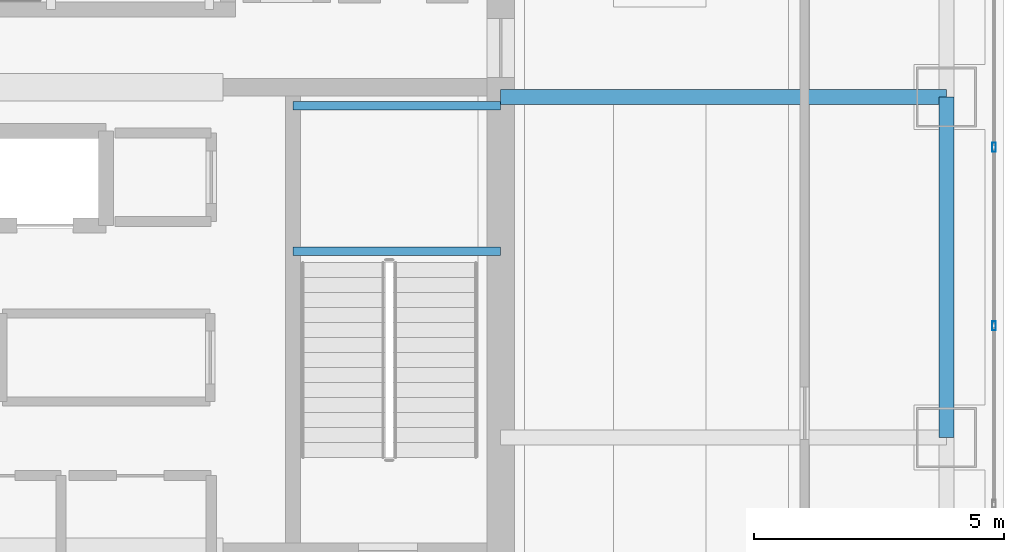
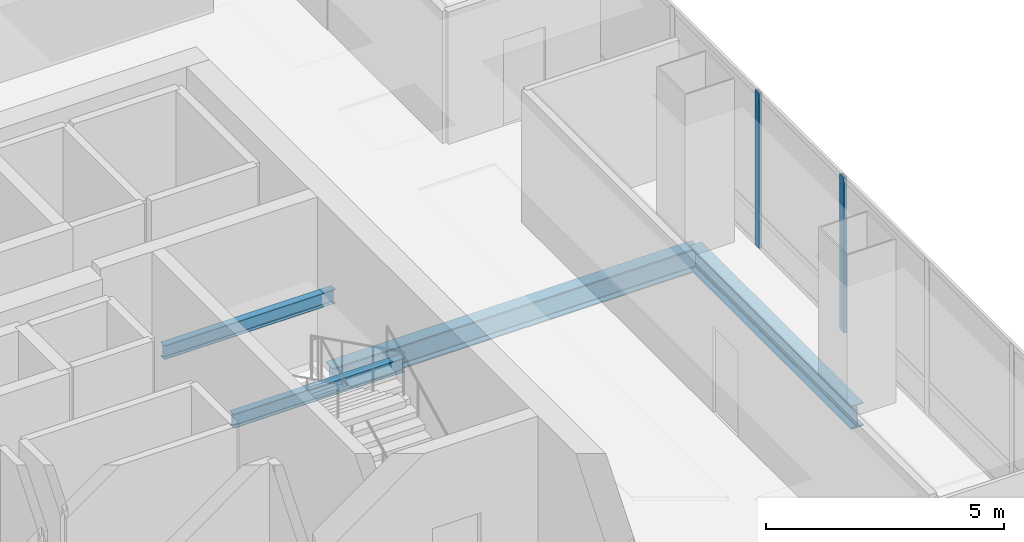
# One storey, part 17 of 43: 4 beams, 2 members, 1 element without a shape of its own.
"""IFC4 building model written with IfcOpenShell, lengths in metres."""

from ifc_helpers import new_model, si_unit, direction, frame, origin, origin_2d, place, context, subcontext, project, spatial, hollow_rectangle, i_section, extrude, material, material_profile, profile_set, type_object, element, aggregate, save


model = new_model("IFC4")

# Units and contexts
model_context = context("Model", 3, precision=1e-05, world=origin(), true_north=direction((0.0, 1.0)))
body_context = subcontext(model_context, "Body", "Model", "MODEL_VIEW")
ifc_project = project(units=[si_unit("LENGTHUNIT", "METRE"), si_unit("AREAUNIT", "SQUARE_METRE"), si_unit("VOLUMEUNIT", "CUBIC_METRE"), si_unit("PLANEANGLEUNIT", "RADIAN"), si_unit("MASSUNIT", "GRAM", prefix="KILO")], contexts=[model_context])

# Site, building, storey
site_placement = place(None, origin())
site = spatial("IfcSite", under=ifc_project, at=site_placement, CompositionType="ELEMENT")
building_placement = place(site_placement, origin())
building = spatial("IfcBuilding", under=site, at=building_placement, Name="Punatoya Terracotta Tower", CompositionType="ELEMENT")
storey_placement = place(building_placement, frame((0.0, 0.0, 300.60009765625)))
storey = spatial("IfcBuildingStorey", under=building, at=storey_placement, Name="L71", CompositionType="ELEMENT", Elevation=300.60009765625)

# Beams
ifc_material_1 = material(Name="Steel S355", Category="steel")
ifc_material_profile_1 = material_profile(ifc_material_1, i_section(OverallWidth=0.300048828125, OverallDepth=0.60009765625, WebThickness=0.015380859375, FlangeThickness=0.030029296875, FilletRadius=0.01806640625, at=origin_2d()))
ifc_profile_set_1 = profile_set([ifc_material_profile_1], Name="Steel S355")
beam_type_1 = type_object("IfcBeamType", Name="BM-PRI-600", PredefinedType="BEAM", material=ifc_profile_set_1)
beam_1_placement = place(storey_placement, frame((19.10009765625, -3.39990234375, -0.5), z_axis=(0.0, 1.0, 0.0), x_axis=(-1.0, 0.0, 0.0)))
element("IfcBeam", 1, at=beam_1_placement, inside=storey, type_object=beam_type_1, Name="BM-L71-RG-E2", PredefinedType="BEAM", context=body_context, shape_type="SweptSolid", body=[
    extrude(i_section(OverallWidth=0.300048828125, OverallDepth=0.60009765625, WebThickness=0.015380859375, FlangeThickness=0.030029296875, FilletRadius=0.01806640625, at=origin_2d()), origin(), (0.0, 0.0, 1.0), 6.7998046875),
])
beam_2_placement = place(storey_placement, frame((10.199951171875, 3.39990234375, -0.5), z_axis=(1.0, 0.0, 0.0), x_axis=(0.0, 1.0, 0.0)))
element("IfcBeam", 2, at=beam_2_placement, inside=storey, type_object=beam_type_1, Name="BM-L71-PR-EE", PredefinedType="BEAM", context=body_context, shape_type="SweptSolid", body=[
    extrude(i_section(OverallWidth=0.300048828125, OverallDepth=0.60009765625, WebThickness=0.015380859375, FlangeThickness=0.030029296875, FilletRadius=0.01806640625, at=origin_2d()), origin(), (0.0, 0.0, 1.0), 8.900146484375),
])
ifc_material_profile_2 = material_profile(ifc_material_1, i_section(OverallWidth=0.169921875, OverallDepth=0.360107421875, WebThickness=0.008056640625, FlangeThickness=0.0126953125, FilletRadius=0.01806640625, at=origin_2d()))
ifc_profile_set_2 = profile_set([ifc_material_profile_2], Name="Steel S355")
beam_type_2 = type_object("IfcBeamType", Name="BM-SEC-360", PredefinedType="JOIST", material=ifc_profile_set_2)
for number, where, z_axis, x_axis, name in (
    (3, (6.050048828125, 0.320068359375, 1.719970703125), (1.0, 0.0, 0.0), (0.0, 1.0, 0.0), "BM-L71-ST-2-LD1A"),
    (4, (6.050048828125, 3.22998046875, 1.719970703125), (1.0, 0.0, 0.0), (0.0, 1.0, 0.0), "BM-L71-ST-2-LD1B"),
):
    element("IfcBeam", number, at=place(storey_placement, frame(where, z_axis=z_axis, x_axis=x_axis)), inside=storey, type_object=beam_type_2, Name=name, PredefinedType="JOIST", context=body_context, shape_type="SweptSolid", body=[
        extrude(i_section(OverallWidth=0.169921875, OverallDepth=0.360107421875, WebThickness=0.008056640625, FlangeThickness=0.0126953125, FilletRadius=0.01806640625, at=origin_2d()), origin(), (0.0, 0.0, 1.0), 4.14990234375),
    ])

# Curtain wall, members
ifc_material_2 = material(Name="Aluminium 6063-T6 + Double Low-E Glass", Category="aluminium")
curtain_wall_type = type_object("IfcCurtainWallType", Name="CW-M3", PredefinedType="NOTDEFINED", material=ifc_material_2)
curtain_wall_placement = place(storey_placement, origin())
curtain_wall = element("IfcCurtainWall", 5, at=curtain_wall_placement, inside=storey, type_object=curtain_wall_type, Name="L71 Curtain Wall CW-L71-E05-1", PredefinedType="NOTDEFINED")
ifc_material_3 = material(Name="Aluminium 6063-T6", Category="aluminium")
ifc_material_profile_3 = material_profile(ifc_material_3, hollow_rectangle(XDim=0.070068359375, YDim=0.179931640625, WallThickness=0.00390625, at=origin_2d()))
ifc_profile_set_3 = profile_set([ifc_material_profile_3], Name="Aluminium 6063-T6")
member_type = type_object("IfcMemberType", Name="CW-MUL-M3", PredefinedType="MULLION", material=ifc_profile_set_3)
member_1_placement = place(storey_placement, frame((20.050048828125, -1.16748046875, 0.0), z_axis=(0.0, 0.0, 1.0), x_axis=(1.0, 0.0, 0.0)))
member_1 = element("IfcMember", 6, at=member_1_placement, type_object=member_type, Name="CW-L71-E05-1 Mullion 04", PredefinedType="MULLION", context=body_context, shape_type="SweptSolid", body=[
    extrude(hollow_rectangle(XDim=0.070068359375, YDim=0.179931640625, WallThickness=0.00390625, at=origin_2d()), origin(), (0.0, 0.0, 1.0), 4.0),
])
member_2_placement = place(storey_placement, frame((20.050048828125, 2.39990234375, 0.0), z_axis=(0.0, 0.0, 1.0), x_axis=(1.0, 0.0, 0.0)))
member_2 = element("IfcMember", 7, at=member_2_placement, type_object=member_type, Name="CW-L71-E05-1 Mullion 05", PredefinedType="MULLION", context=body_context, shape_type="SweptSolid", body=[
    extrude(hollow_rectangle(XDim=0.070068359375, YDim=0.179931640625, WallThickness=0.00390625, at=origin_2d()), origin(), (0.0, 0.0, 1.0), 4.0),
])
aggregate(curtain_wall, [member_1, member_2])

save(model, "model.ifc")
